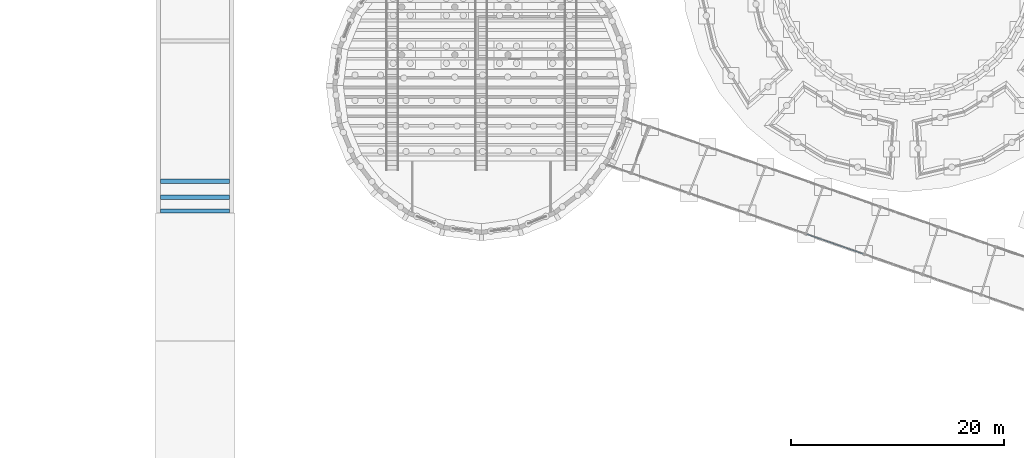
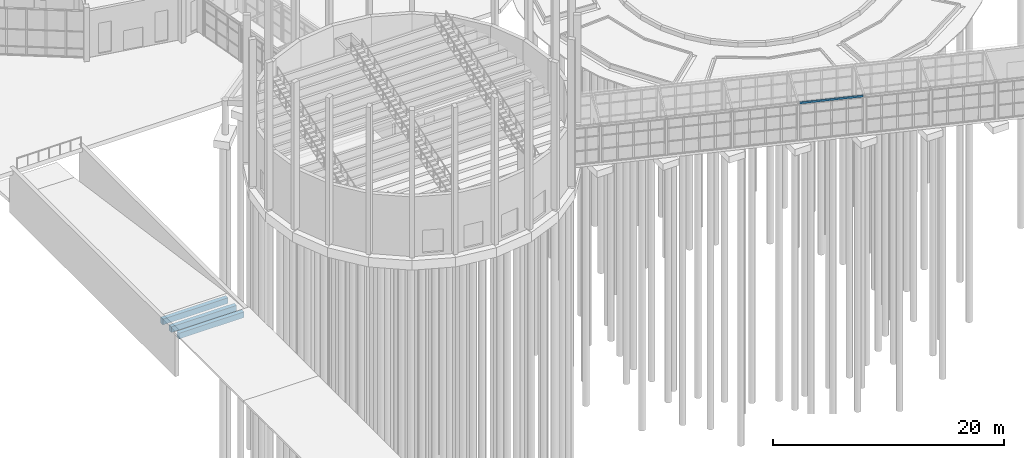
# One storey, part 45 of 226: 4 beams.
"""IFC4 building model written with IfcOpenShell, lengths in metres."""

from ifc_helpers import new_model, si_unit, direction, frame, origin, origin_2d, place, context, subcontext, project, spatial, rectangle, hollow_rectangle, extrude, material, material_profile, profile_set, type_object, element, save


model = new_model("IFC4")

# Units and contexts
model_context = context("Model", 3, precision=1e-05, world=origin(), true_north=direction((0.0, 1.0)))
body_context = subcontext(model_context, "Body", "Model", "MODEL_VIEW")
ifc_project = project(units=[si_unit("LENGTHUNIT", "METRE"), si_unit("AREAUNIT", "SQUARE_METRE"), si_unit("VOLUMEUNIT", "CUBIC_METRE"), si_unit("PLANEANGLEUNIT", "RADIAN"), si_unit("MASSUNIT", "GRAM", prefix="KILO")], contexts=[model_context])

# Site, building, storey
site_placement = place(None, origin())
site = spatial("IfcSite", under=ifc_project, at=site_placement, CompositionType="ELEMENT")
building_placement = place(site_placement, origin())
building = spatial("IfcBuilding", under=site, at=building_placement, Name="Ceibo Conservatory and Research Tower", CompositionType="ELEMENT")
storey_placement = place(building_placement, origin())
storey = spatial("IfcBuildingStorey", under=building, at=storey_placement, Name="L00", CompositionType="ELEMENT", Elevation=0.0)

# Beams
ifc_material_1 = material(Name="Concrete C35/45", Category="concrete")
ifc_material_profile_1 = material_profile(ifc_material_1, rectangle(XDim=0.39990234375, YDim=0.60009765625, at=origin_2d()), Name="RC 400x600")
ifc_profile_set_1 = profile_set([ifc_material_profile_1], Name="Concrete C35/45")
beam_type_1 = type_object("IfcBeamType", Name="RC beam 400x600 C35", PredefinedType="BEAM", material=ifc_profile_set_1)
for number, where, z_axis, x_axis, name in (
    (1, (26.0, 60.199951171875, -0.65087890625), (1.0, 0.0, 0.0), (0.0, 1.0, 0.0), "Ramp cross beam START"),
    (2, (26.0, 63.0, -0.865234375), (1.0, 0.0, 0.0), (0.0, 1.0, 0.0), "Ramp cross beam J1"),
    (3, (26.0, 61.5, -0.758056640625), (1.0, 0.0, 0.0), (0.0, 1.0, 0.0), "Ramp cross beam M1"),
):
    element("IfcBeam", number, at=place(storey_placement, frame(where, z_axis=z_axis, x_axis=x_axis)), inside=storey, type_object=beam_type_1, Name=name, PredefinedType="BEAM", context=body_context, shape_type="SweptSolid", body=[
        extrude(rectangle(XDim=0.39990234375, YDim=0.60009765625, at=origin_2d()), origin(), (0.0, 0.0, 1.0), 6.5),
    ])
ifc_material_2 = material(Name="Steel S355J2H", Category="steel")
ifc_material_profile_2 = material_profile(ifc_material_2, hollow_rectangle(XDim=0.10009765625, YDim=0.199951171875, WallThickness=0.008056640625, at=origin_2d()), Name="RHS 200x100x8 edge beam")
ifc_profile_set_2 = profile_set([ifc_material_profile_2], Name="Steel S355J2H")
beam_type_2 = type_object("IfcBeamType", Name="RHS 200x100x8 edge beam", PredefinedType="BEAM", material=ifc_profile_set_2)
beam_placement = place(storey_placement, frame((86.788818359375, 58.019287109375, 3.89990234375), z_axis=(0.944584081142, -0.328269574669, 0.0), x_axis=(0.328269574669, 0.944584081142, 0.0)))
element("IfcBeam", 4, at=beam_placement, inside=storey, type_object=beam_type_2, Name="Gallery edge beam AUD-VC-EBS05", PredefinedType="BEAM", context=body_context, shape_type="SweptSolid", body=[
    extrude(hollow_rectangle(XDim=0.10009765625, YDim=0.199951171875, WallThickness=0.008056640625, at=origin_2d()), origin(), (0.0, 0.0, 1.0), 5.620361328125),
])

save(model, "model.ifc")
